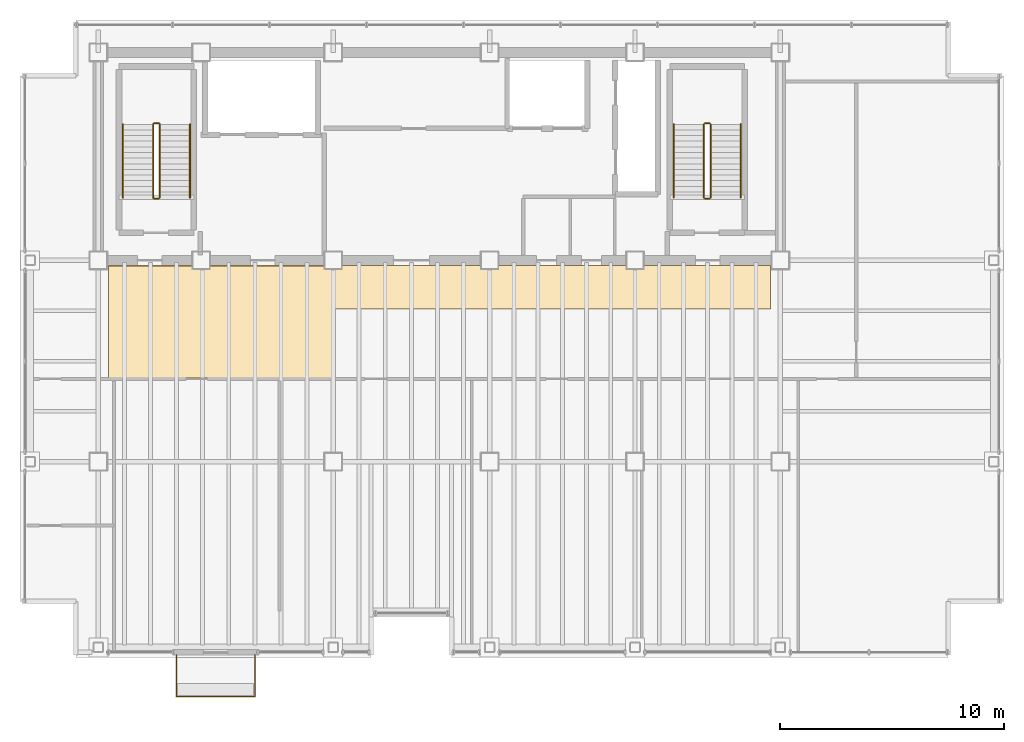
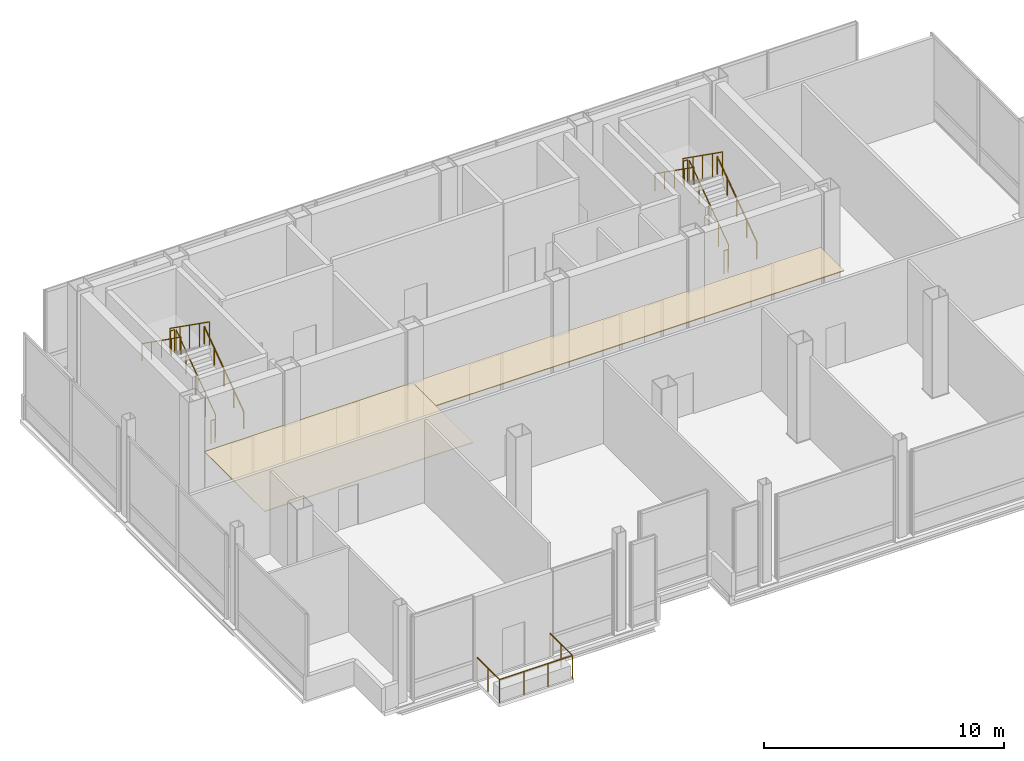
# One storey, part 15 of 15: 13 railings, 2 coverings.
"""IFC4 building model written with IfcOpenShell, lengths in metres."""

from ifc_helpers import new_model, si_unit, direction, frame, origin, origin_2d, place, context, subcontext, project, spatial, polyline, circle, outline, extrude, material, layer, layer_set, type_object, element, save


model = new_model("IFC4")

# Units and contexts
model_context = context("Model", 3, precision=1e-05, world=origin(), true_north=direction((0.0, 1.0)))
body_context = subcontext(model_context, "Body", "Model", "MODEL_VIEW")
ifc_project = project(units=[si_unit("LENGTHUNIT", "METRE"), si_unit("AREAUNIT", "SQUARE_METRE"), si_unit("VOLUMEUNIT", "CUBIC_METRE"), si_unit("PLANEANGLEUNIT", "RADIAN"), si_unit("MASSUNIT", "GRAM", prefix="KILO")], contexts=[model_context])

# Site, building, storey
site_placement = place(None, origin())
site = spatial("IfcSite", under=ifc_project, at=site_placement, CompositionType="ELEMENT")
building_placement = place(site_placement, origin())
building = spatial("IfcBuilding", under=site, at=building_placement, Name="Noeulbin Bourse Tower", CompositionType="ELEMENT")
storey_placement = place(building_placement, frame((0.0, 0.0, 206.10009765625)))
storey = spatial("IfcBuildingStorey", under=building, at=storey_placement, Name="L51", CompositionType="ELEMENT", Elevation=206.10009765625)

# Coverings
ifc_material_1 = material(Name="Perforated Mineral-Fibre Acoustic Tile")
ifc_layer_1 = layer(ifc_material_1, 0.0400390625)
ifc_layer_set_1 = layer_set([ifc_layer_1], Name="Perforated Mineral-Fibre Acoustic Tile")
covering_type_1 = type_object("IfcCoveringType", Name="COV-CEIL-ACT", PredefinedType="CEILING", material=ifc_layer_set_1)
covering_1_placement = place(storey_placement, frame((0.0, 0.0, 2.10986328125)))
element("IfcCovering", 1, at=covering_1_placement, inside=storey, type_object=covering_type_1, Name="Trading Suite Acoustic Ceiling L51", PredefinedType="CEILING", context=body_context, shape_type="SweptSolid", body=[
    extrude(outline(polyline([(13.949951171875, 23.75), (23.949951171875, 23.75), (23.949951171875, 28.75), (13.949951171875, 28.75), (13.949951171875, 23.75)])), origin(), (0.0, 0.0, 1.0), 0.0400390625),
])
ifc_material_2 = material(Name="Linear Anodised Aluminium Baffle Ceiling", Category="aluminium")
ifc_layer_2 = layer(ifc_material_2, 0.050048828125)
ifc_layer_set_2 = layer_set([ifc_layer_2], Name="Linear Anodised Aluminium Baffle Ceiling")
covering_type_2 = type_object("IfcCoveringType", Name="COV-CEIL-MTL", PredefinedType="CEILING", material=ifc_layer_set_2)
covering_2_placement = place(storey_placement, frame((0.0, 0.0, 2.10986328125)))
element("IfcCovering", 2, at=covering_2_placement, inside=storey, type_object=covering_type_2, Name="Corridor Suspended Ceiling L51", PredefinedType="CEILING", context=body_context, shape_type="SweptSolid", body=[
    extrude(outline(polyline([(13.949951171875, 26.820068359375), (43.550048828125, 26.820068359375), (43.550048828125, 28.780029296875), (13.949951171875, 28.780029296875), (13.949951171875, 26.820068359375)])), origin(), (0.0, 0.0, 1.0), 0.0400390625),
])

# Railings
ifc_material_3 = material(Name="Laminated SentryGlas and Stainless Steel 316", Category="steel")
ifc_layer_3 = layer(ifc_material_3, 0.06005859375)
ifc_layer_set_3 = layer_set([ifc_layer_3], Name="Laminated SentryGlas and Stainless Steel 316")
railing_type_1 = type_object("IfcRailingType", Name="RLG-BAL-1200", PredefinedType="BALUSTRADE", material=ifc_layer_set_3)
railing_1_placement = place(storey_placement, frame((17.0, 11.3701171875, 0.0)))
element("IfcRailing", 3, at=railing_1_placement, inside=storey, type_object=railing_type_1, Name="Tree-Balcony Glazed Balustrade L51", PredefinedType="BALUSTRADE", context=body_context, shape_type="SweptSolid", body=[
    extrude(circle(Radius=0.02392578125, at=origin_2d()), frame((0.0, 0.0, 1.17578125), z_axis=(0.0, -1.0, 0.0), x_axis=(1.0, 0.0, 0.0)), (0.0, 0.0, 1.0), 1.8701171875),
    extrude(circle(Radius=0.02392578125, at=origin_2d()), frame((0.0, -1.8701171875, 1.17578125), z_axis=(1.0, 0.0, 0.0), x_axis=(0.0, 1.0, 0.0)), (0.0, 0.0, 1.0), 3.5),
    extrude(circle(Radius=0.02392578125, at=origin_2d()), frame((3.5, -1.8701171875, 1.17578125), z_axis=(0.0, 1.0, 0.0), x_axis=(-1.0, 0.0, 0.0)), (0.0, 0.0, 1.0), 1.8701171875),
    extrude(circle(Radius=0.02099609375, at=origin_2d()), origin(), (0.0, 0.0, 1.0), 1.15185546875),
    extrude(circle(Radius=0.02099609375, at=origin_2d()), frame((0.0, -0.93505859375, 0.0)), (0.0, 0.0, 1.0), 1.15185546875),
    extrude(circle(Radius=0.02099609375, at=origin_2d()), frame((0.0, -1.8701171875, 0.0)), (0.0, 0.0, 1.0), 1.15185546875),
    extrude(circle(Radius=0.02099609375, at=origin_2d()), frame((1.166748046875, -1.8701171875, 0.0)), (0.0, 0.0, 1.0), 1.15185546875),
    extrude(circle(Radius=0.02099609375, at=origin_2d()), frame((2.333251953125, -1.8701171875, 0.0)), (0.0, 0.0, 1.0), 1.15185546875),
    extrude(circle(Radius=0.02099609375, at=origin_2d()), frame((3.5, -1.8701171875, 0.0)), (0.0, 0.0, 1.0), 1.15185546875),
    extrude(circle(Radius=0.02099609375, at=origin_2d()), frame((3.5, -0.93505859375, 0.0)), (0.0, 0.0, 1.0), 1.15185546875),
    extrude(circle(Radius=0.02099609375, at=origin_2d()), frame((3.5, 0.0, 0.0)), (0.0, 0.0, 1.0), 1.15185546875),
])
ifc_material_4 = material(Name="Painted Tubular Steel S355", Category="steel")
ifc_layer_4 = layer(ifc_material_4, 0.048095703125)
ifc_layer_set_4 = layer_set([ifc_layer_4], Name="Painted Tubular Steel S355")
railing_type_2 = type_object("IfcRailingType", Name="RLG-STR-GRD", PredefinedType="GUARDRAIL", material=ifc_layer_set_4)
railing_2_placement = place(storey_placement, frame((16.25, 31.81005859375, 0.178466796875)))
element("IfcRailing", 4, at=railing_2_placement, inside=storey, type_object=railing_type_2, Name="L51 ST-1 stair guard 1", PredefinedType="GUARDRAIL", context=body_context, shape_type="SweptSolid", body=[
    extrude(circle(Radius=0.02392578125, at=origin_2d()), frame((0.0, 0.0, 1.17578125), z_axis=(0.0, 0.815893006872, 0.578202906718), x_axis=(-1.0, 0.0, 0.0)), (0.0, 0.0, 1.0), 4.01513671875),
    extrude(circle(Radius=0.02099609375, at=origin_2d()), origin(), (0.0, 0.0, 1.0), 1.15185546875),
    extrude(circle(Radius=0.02099609375, at=origin_2d()), frame((0.0, 0.81884765625, 0.580322265625)), (0.0, 0.0, 1.0), 1.15185546875),
    extrude(circle(Radius=0.02099609375, at=origin_2d()), frame((0.0, 1.637939453125, 1.16064453125)), (0.0, 0.0, 1.0), 1.15185546875),
    extrude(circle(Radius=0.02099609375, at=origin_2d()), frame((0.0, 2.45703125, 1.7412109375)), (0.0, 0.0, 1.0), 1.15185546875),
    extrude(circle(Radius=0.02099609375, at=origin_2d()), frame((0.0, 3.27587890625, 2.321533203125)), (0.0, 0.0, 1.0), 1.15185546875),
])
railing_3_placement = place(storey_placement, frame((16.199951171875, 35.135986328125, 2.5)))
element("IfcRailing", 5, at=railing_3_placement, inside=storey, type_object=railing_type_2, Name="L51 ST-1 stair guard 2", PredefinedType="GUARDRAIL", context=body_context, shape_type="SweptSolid", body=[
    extrude(circle(Radius=0.02392578125, at=origin_2d()), frame((0.0, 0.0, 1.17578125), z_axis=(-1.0, 0.0, 0.0), x_axis=(0.0, -1.0, 0.0)), (0.0, 0.0, 1.0), 0.199951171875),
    extrude(circle(Radius=0.02099609375, at=origin_2d()), origin(), (0.0, 0.0, 1.0), 1.15185546875),
    extrude(circle(Radius=0.02099609375, at=origin_2d()), frame((-0.199951171875, 0.0, 0.0)), (0.0, 0.0, 1.0), 1.15185546875),
])
railing_4_placement = place(storey_placement, frame((15.949951171875, 35.0859375, 2.678466796875)))
element("IfcRailing", 6, at=railing_4_placement, inside=storey, type_object=railing_type_2, Name="L51 ST-1 stair guard 3", PredefinedType="GUARDRAIL", context=body_context, shape_type="SweptSolid", body=[
    extrude(circle(Radius=0.02392578125, at=origin_2d()), frame((0.0, 0.0, 1.17578125), z_axis=(0.0, -0.815893006872, 0.578202906718), x_axis=(1.0, 0.0, 0.0)), (0.0, 0.0, 1.0), 4.01513671875),
    extrude(circle(Radius=0.02099609375, at=origin_2d()), origin(), (0.0, 0.0, 1.0), 1.15185546875),
    extrude(circle(Radius=0.02099609375, at=origin_2d()), frame((0.0, -0.81884765625, 0.580322265625)), (0.0, 0.0, 1.0), 1.15185546875),
    extrude(circle(Radius=0.02099609375, at=origin_2d()), frame((0.0, -1.637939453125, 1.16064453125)), (0.0, 0.0, 1.0), 1.15185546875),
    extrude(circle(Radius=0.02099609375, at=origin_2d()), frame((0.0, -2.45703125, 1.7412109375)), (0.0, 0.0, 1.0), 1.15185546875),
    extrude(circle(Radius=0.02099609375, at=origin_2d()), frame((0.0, -3.27587890625, 2.321533203125)), (0.0, 0.0, 1.0), 1.15185546875),
])
railing_5_placement = place(storey_placement, frame((16.199951171875, 31.760009765625, 0.0)))
element("IfcRailing", 7, at=railing_5_placement, inside=storey, type_object=railing_type_2, Name="L51 ST-1 stair guard 4", PredefinedType="GUARDRAIL", context=body_context, shape_type="SweptSolid", body=[
    extrude(circle(Radius=0.02392578125, at=origin_2d()), frame((0.0, 0.0, 1.17578125), z_axis=(-1.0, 0.0, 0.0), x_axis=(0.0, -1.0, 0.0)), (0.0, 0.0, 1.0), 0.199951171875),
    extrude(circle(Radius=0.02099609375, at=origin_2d()), origin(), (0.0, 0.0, 1.0), 1.15185546875),
    extrude(circle(Radius=0.02099609375, at=origin_2d()), frame((-0.199951171875, 0.0, 0.0)), (0.0, 0.0, 1.0), 1.15185546875),
])
railing_6_placement = place(storey_placement, frame((40.8798828125, 31.81005859375, 0.178466796875)))
element("IfcRailing", 8, at=railing_6_placement, inside=storey, type_object=railing_type_2, Name="L51 ST-2 stair guard 1", PredefinedType="GUARDRAIL", context=body_context, shape_type="SweptSolid", body=[
    extrude(circle(Radius=0.02392578125, at=origin_2d()), frame((0.0, 0.0, 1.17578125), z_axis=(0.0, 0.815893006872, 0.578202906718), x_axis=(-1.0, 0.0, 0.0)), (0.0, 0.0, 1.0), 4.01513671875),
    extrude(circle(Radius=0.02099609375, at=origin_2d()), origin(), (0.0, 0.0, 1.0), 1.15185546875),
    extrude(circle(Radius=0.02099609375, at=origin_2d()), frame((0.0, 0.81884765625, 0.580322265625)), (0.0, 0.0, 1.0), 1.15185546875),
    extrude(circle(Radius=0.02099609375, at=origin_2d()), frame((0.0, 1.637939453125, 1.16064453125)), (0.0, 0.0, 1.0), 1.15185546875),
    extrude(circle(Radius=0.02099609375, at=origin_2d()), frame((0.0, 2.45703125, 1.7412109375)), (0.0, 0.0, 1.0), 1.15185546875),
    extrude(circle(Radius=0.02099609375, at=origin_2d()), frame((0.0, 3.27587890625, 2.321533203125)), (0.0, 0.0, 1.0), 1.15185546875),
])
railing_7_placement = place(storey_placement, frame((40.830078125, 35.135986328125, 2.5)))
element("IfcRailing", 9, at=railing_7_placement, inside=storey, type_object=railing_type_2, Name="L51 ST-2 stair guard 2", PredefinedType="GUARDRAIL", context=body_context, shape_type="SweptSolid", body=[
    extrude(circle(Radius=0.02392578125, at=origin_2d()), frame((0.0, 0.0, 1.17578125), z_axis=(-1.0, 0.0, 0.0), x_axis=(0.0, -1.0, 0.0)), (0.0, 0.0, 1.0), 0.2001953125),
    extrude(circle(Radius=0.02099609375, at=origin_2d()), origin(), (0.0, 0.0, 1.0), 1.15185546875),
    extrude(circle(Radius=0.02099609375, at=origin_2d()), frame((-0.2001953125, 0.0, 0.0)), (0.0, 0.0, 1.0), 1.15185546875),
])
railing_8_placement = place(storey_placement, frame((40.580078125, 35.0859375, 2.678466796875)))
element("IfcRailing", 10, at=railing_8_placement, inside=storey, type_object=railing_type_2, Name="L51 ST-2 stair guard 3", PredefinedType="GUARDRAIL", context=body_context, shape_type="SweptSolid", body=[
    extrude(circle(Radius=0.02392578125, at=origin_2d()), frame((0.0, 0.0, 1.17578125), z_axis=(0.0, -0.815893006872, 0.578202906718), x_axis=(1.0, 0.0, 0.0)), (0.0, 0.0, 1.0), 4.01513671875),
    extrude(circle(Radius=0.02099609375, at=origin_2d()), origin(), (0.0, 0.0, 1.0), 1.15185546875),
    extrude(circle(Radius=0.02099609375, at=origin_2d()), frame((0.0, -0.81884765625, 0.580322265625)), (0.0, 0.0, 1.0), 1.15185546875),
    extrude(circle(Radius=0.02099609375, at=origin_2d()), frame((0.0, -1.637939453125, 1.16064453125)), (0.0, 0.0, 1.0), 1.15185546875),
    extrude(circle(Radius=0.02099609375, at=origin_2d()), frame((0.0, -2.45703125, 1.7412109375)), (0.0, 0.0, 1.0), 1.15185546875),
    extrude(circle(Radius=0.02099609375, at=origin_2d()), frame((0.0, -3.27587890625, 2.321533203125)), (0.0, 0.0, 1.0), 1.15185546875),
])
railing_9_placement = place(storey_placement, frame((40.830078125, 31.760009765625, 0.0)))
element("IfcRailing", 11, at=railing_9_placement, inside=storey, type_object=railing_type_2, Name="L51 ST-2 stair guard 4", PredefinedType="GUARDRAIL", context=body_context, shape_type="SweptSolid", body=[
    extrude(circle(Radius=0.02392578125, at=origin_2d()), frame((0.0, 0.0, 1.17578125), z_axis=(-1.0, 0.0, 0.0), x_axis=(0.0, -1.0, 0.0)), (0.0, 0.0, 1.0), 0.2001953125),
    extrude(circle(Radius=0.02099609375, at=origin_2d()), origin(), (0.0, 0.0, 1.0), 1.15185546875),
    extrude(circle(Radius=0.02099609375, at=origin_2d()), frame((-0.2001953125, 0.0, 0.0)), (0.0, 0.0, 1.0), 1.15185546875),
])
ifc_material_5 = material(Name="Brushed Stainless Steel 316", Category="steel")
ifc_layer_5 = layer(ifc_material_5, 0.048095703125)
ifc_layer_set_5 = layer_set([ifc_layer_5], Name="Brushed Stainless Steel 316")
railing_type_3 = type_object("IfcRailingType", Name="RLG-STR-HND", PredefinedType="HANDRAIL", material=ifc_layer_set_5)
railing_10_placement = place(storey_placement, frame((17.60009765625, 31.81005859375, 0.178466796875)))
element("IfcRailing", 12, at=railing_10_placement, inside=storey, type_object=railing_type_3, Name="L51 ST-1 stair handrail 1", PredefinedType="HANDRAIL", context=body_context, shape_type="SweptSolid", body=[
    extrude(circle(Radius=0.02392578125, at=origin_2d()), frame((0.0, 0.0, 0.8759765625), z_axis=(0.0, 0.815893006872, 0.578202906718), x_axis=(-1.0, 0.0, 0.0)), (0.0, 0.0, 1.0), 4.01513671875),
    extrude(circle(Radius=0.02099609375, at=origin_2d()), origin(), (0.0, 0.0, 1.0), 0.851806640625),
    extrude(circle(Radius=0.02099609375, at=origin_2d()), frame((0.0, 0.81884765625, 0.580322265625)), (0.0, 0.0, 1.0), 0.851806640625),
    extrude(circle(Radius=0.02099609375, at=origin_2d()), frame((0.0, 1.637939453125, 1.16064453125)), (0.0, 0.0, 1.0), 0.851806640625),
    extrude(circle(Radius=0.02099609375, at=origin_2d()), frame((0.0, 2.45703125, 1.7412109375)), (0.0, 0.0, 1.0), 0.851806640625),
    extrude(circle(Radius=0.02099609375, at=origin_2d()), frame((0.0, 3.27587890625, 2.321533203125)), (0.0, 0.0, 1.0), 0.851806640625),
])
railing_11_placement = place(storey_placement, frame((14.60009765625, 35.0859375, 2.678466796875)))
element("IfcRailing", 13, at=railing_11_placement, inside=storey, type_object=railing_type_3, Name="L51 ST-1 stair handrail 2", PredefinedType="HANDRAIL", context=body_context, shape_type="SweptSolid", body=[
    extrude(circle(Radius=0.02392578125, at=origin_2d()), frame((0.0, 0.0, 0.8759765625), z_axis=(0.0, -0.815893006872, 0.578202906718), x_axis=(1.0, 0.0, 0.0)), (0.0, 0.0, 1.0), 4.01513671875),
    extrude(circle(Radius=0.02099609375, at=origin_2d()), origin(), (0.0, 0.0, 1.0), 0.851806640625),
    extrude(circle(Radius=0.02099609375, at=origin_2d()), frame((0.0, -0.81884765625, 0.580322265625)), (0.0, 0.0, 1.0), 0.851806640625),
    extrude(circle(Radius=0.02099609375, at=origin_2d()), frame((0.0, -1.637939453125, 1.16064453125)), (0.0, 0.0, 1.0), 0.851806640625),
    extrude(circle(Radius=0.02099609375, at=origin_2d()), frame((0.0, -2.45703125, 1.7412109375)), (0.0, 0.0, 1.0), 0.851806640625),
    extrude(circle(Radius=0.02099609375, at=origin_2d()), frame((0.0, -3.27587890625, 2.321533203125)), (0.0, 0.0, 1.0), 0.851806640625),
])
railing_12_placement = place(storey_placement, frame((42.22998046875, 31.81005859375, 0.178466796875)))
element("IfcRailing", 14, at=railing_12_placement, inside=storey, type_object=railing_type_3, Name="L51 ST-2 stair handrail 1", PredefinedType="HANDRAIL", context=body_context, shape_type="SweptSolid", body=[
    extrude(circle(Radius=0.02392578125, at=origin_2d()), frame((0.0, 0.0, 0.8759765625), z_axis=(0.0, 0.815893006872, 0.578202906718), x_axis=(-1.0, 0.0, 0.0)), (0.0, 0.0, 1.0), 4.01513671875),
    extrude(circle(Radius=0.02099609375, at=origin_2d()), origin(), (0.0, 0.0, 1.0), 0.851806640625),
    extrude(circle(Radius=0.02099609375, at=origin_2d()), frame((0.0, 0.81884765625, 0.580322265625)), (0.0, 0.0, 1.0), 0.851806640625),
    extrude(circle(Radius=0.02099609375, at=origin_2d()), frame((0.0, 1.637939453125, 1.16064453125)), (0.0, 0.0, 1.0), 0.851806640625),
    extrude(circle(Radius=0.02099609375, at=origin_2d()), frame((0.0, 2.45703125, 1.7412109375)), (0.0, 0.0, 1.0), 0.851806640625),
    extrude(circle(Radius=0.02099609375, at=origin_2d()), frame((0.0, 3.27587890625, 2.321533203125)), (0.0, 0.0, 1.0), 0.851806640625),
])
railing_13_placement = place(storey_placement, frame((39.22998046875, 35.0859375, 2.678466796875)))
element("IfcRailing", 15, at=railing_13_placement, inside=storey, type_object=railing_type_3, Name="L51 ST-2 stair handrail 2", PredefinedType="HANDRAIL", context=body_context, shape_type="SweptSolid", body=[
    extrude(circle(Radius=0.02392578125, at=origin_2d()), frame((0.0, 0.0, 0.8759765625), z_axis=(0.0, -0.815893006872, 0.578202906718), x_axis=(1.0, 0.0, 0.0)), (0.0, 0.0, 1.0), 4.01513671875),
    extrude(circle(Radius=0.02099609375, at=origin_2d()), origin(), (0.0, 0.0, 1.0), 0.851806640625),
    extrude(circle(Radius=0.02099609375, at=origin_2d()), frame((0.0, -0.81884765625, 0.580322265625)), (0.0, 0.0, 1.0), 0.851806640625),
    extrude(circle(Radius=0.02099609375, at=origin_2d()), frame((0.0, -1.637939453125, 1.16064453125)), (0.0, 0.0, 1.0), 0.851806640625),
    extrude(circle(Radius=0.02099609375, at=origin_2d()), frame((0.0, -2.45703125, 1.7412109375)), (0.0, 0.0, 1.0), 0.851806640625),
    extrude(circle(Radius=0.02099609375, at=origin_2d()), frame((0.0, -3.27587890625, 2.321533203125)), (0.0, 0.0, 1.0), 0.851806640625),
])

save(model, "model.ifc")
